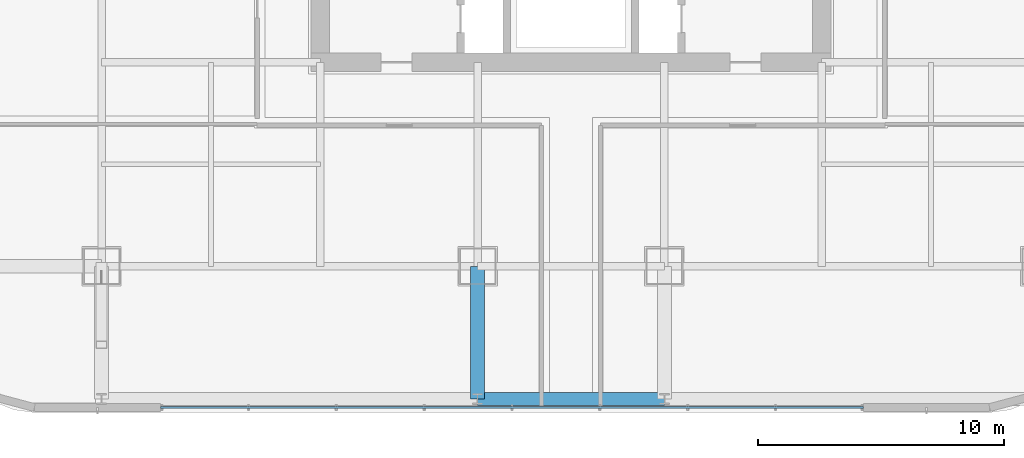
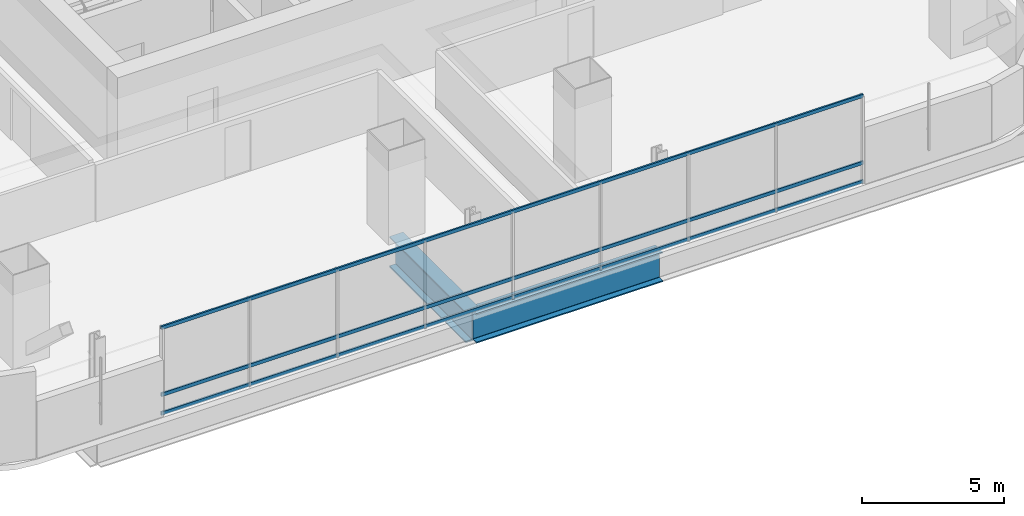
# One storey, part 6 of 45: 3 members, 2 beams, 1 element without a shape of its own.
"""IFC4 building model written with IfcOpenShell, lengths in metres."""

from ifc_helpers import new_model, si_unit, direction, frame, origin, origin_2d, place, context, subcontext, project, spatial, hollow_rectangle, i_section, extrude, material, material_profile, profile_set, type_object, element, aggregate, save


model = new_model("IFC4")

# Units and contexts
model_context = context("Model", 3, precision=1e-05, world=origin(), true_north=direction((0.0, 1.0)))
body_context = subcontext(model_context, "Body", "Model", "MODEL_VIEW")
ifc_project = project(units=[si_unit("LENGTHUNIT", "METRE"), si_unit("AREAUNIT", "SQUARE_METRE"), si_unit("VOLUMEUNIT", "CUBIC_METRE"), si_unit("PLANEANGLEUNIT", "RADIAN"), si_unit("MASSUNIT", "GRAM", prefix="KILO")], contexts=[model_context])

# Site, building, storey
site_placement = place(None, origin())
site = spatial("IfcSite", under=ifc_project, at=site_placement, CompositionType="ELEMENT")
building_placement = place(site_placement, origin())
building = spatial("IfcBuilding", under=site, at=building_placement, Name="Punatoya Terracotta Tower", CompositionType="ELEMENT")
storey_placement = place(building_placement, frame((0.0, 0.0, 56.550048828125)))
storey = spatial("IfcBuildingStorey", under=building, at=storey_placement, Name="L12", CompositionType="ELEMENT", Elevation=56.550048828125)

# Beams
ifc_material_1 = material(Name="Steel S460", Category="steel")
ifc_material_profile_1 = material_profile(ifc_material_1, i_section(OverallWidth=0.56005859375, OverallDepth=1.320068359375, WebThickness=0.035888671875, FlangeThickness=0.054931640625, FilletRadius=0.01806640625, at=origin_2d()))
ifc_profile_set_1 = profile_set([ifc_material_profile_1], Name="Steel S460")
beam_type_1 = type_object("IfcBeamType", Name="BM-TG-BLK", PredefinedType="BEAM", material=ifc_profile_set_1)
beam_1_placement = place(storey_placement, frame((-3.800048828125, -22.89990234375, -0.900146484375), z_axis=(0.0, 1.0, 0.0), x_axis=(-1.0, 0.0, 0.0)))
element("IfcBeam", 1, at=beam_1_placement, inside=storey, type_object=beam_type_1, Name="BM-L12-CANT-S2", PredefinedType="BEAM", context=body_context, shape_type="SweptSolid", body=[
    extrude(i_section(OverallWidth=0.56005859375, OverallDepth=1.320068359375, WebThickness=0.035888671875, FlangeThickness=0.054931640625, FilletRadius=0.01806640625, at=origin_2d()), origin(), (0.0, 0.0, 1.0), 5.39990234375),
])
ifc_material_profile_2 = material_profile(ifc_material_1, i_section(OverallWidth=0.52001953125, OverallDepth=1.280029296875, WebThickness=0.031982421875, FlangeThickness=0.050048828125, FilletRadius=0.01806640625, at=origin_2d()))
ifc_profile_set_2 = profile_set([ifc_material_profile_2], Name="Steel S460")
beam_type_2 = type_object("IfcBeamType", Name="BM-TG-NCK", PredefinedType="BEAM", material=ifc_profile_set_2)
beam_2_placement = place(storey_placement, frame((-3.800048828125, -22.89990234375, -0.880126953125), z_axis=(1.0, 0.0, 0.0), x_axis=(0.0, 1.0, 0.0)))
element("IfcBeam", 2, at=beam_2_placement, inside=storey, type_object=beam_type_2, Name="BM-L12-PER-S2", PredefinedType="BEAM", context=body_context, shape_type="SweptSolid", body=[
    extrude(i_section(OverallWidth=0.52001953125, OverallDepth=1.280029296875, WebThickness=0.031982421875, FlangeThickness=0.050048828125, FilletRadius=0.01806640625, at=origin_2d()), origin(), (0.0, 0.0, 1.0), 7.60009765625),
])

# Curtain wall, members
ifc_material_2 = material(Name="Aluminium 6063-T6 + Double Low-E Glass", Category="aluminium")
curtain_wall_type = type_object("IfcCurtainWallType", Name="CW-M1", PredefinedType="NOTDEFINED", material=ifc_material_2)
curtain_wall_placement = place(storey_placement, origin())
curtain_wall = element("IfcCurtainWall", 3, at=curtain_wall_placement, inside=storey, type_object=curtain_wall_type, Name="L12 Curtain Wall CW-L12-S01-1", PredefinedType="NOTDEFINED")
ifc_material_3 = material(Name="Aluminium 6063-T6", Category="aluminium")
ifc_material_profile_3 = material_profile(ifc_material_3, hollow_rectangle(XDim=0.068115234375, YDim=0.14990234375, WallThickness=0.00390625, at=origin_2d()))
ifc_profile_set_3 = profile_set([ifc_material_profile_3], Name="Aluminium 6063-T6")
member_type = type_object("IfcMemberType", Name="CW-TRN-TYP", PredefinedType="USERDEFINED", material=ifc_profile_set_3)
member_1_placement = place(storey_placement, frame((-16.699951171875, -23.25, 0.0400390625), z_axis=(1.0, 0.0, 0.0), x_axis=(0.0, 1.0, 0.0)))
member_1 = element("IfcMember", 4, at=member_1_placement, type_object=member_type, Name="CW-L12-S01-1 Transom 1", ObjectType="TRANSOM", PredefinedType="USERDEFINED", context=body_context, shape_type="SweptSolid", body=[
    extrude(hollow_rectangle(XDim=0.068115234375, YDim=0.14990234375, WallThickness=0.00390625, at=origin_2d()), origin(), (0.0, 0.0, 1.0), 28.599853515625),
])
member_2_placement = place(storey_placement, frame((-16.699951171875, -23.25, 0.849853515625), z_axis=(1.0, 0.0, 0.0), x_axis=(0.0, 1.0, 0.0)))
member_2 = element("IfcMember", 5, at=member_2_placement, type_object=member_type, Name="CW-L12-S01-1 Transom 2", ObjectType="TRANSOM", PredefinedType="USERDEFINED", context=body_context, shape_type="SweptSolid", body=[
    extrude(hollow_rectangle(XDim=0.068115234375, YDim=0.14990234375, WallThickness=0.00390625, at=origin_2d()), origin(), (0.0, 0.0, 1.0), 28.599853515625),
])
member_3_placement = place(storey_placement, frame((-16.699951171875, -23.25, 3.72998046875), z_axis=(1.0, 0.0, 0.0), x_axis=(0.0, 1.0, 0.0)))
member_3 = element("IfcMember", 6, at=member_3_placement, type_object=member_type, Name="CW-L12-S01-1 Transom 3", ObjectType="TRANSOM", PredefinedType="USERDEFINED", context=body_context, shape_type="SweptSolid", body=[
    extrude(hollow_rectangle(XDim=0.068115234375, YDim=0.14990234375, WallThickness=0.00390625, at=origin_2d()), origin(), (0.0, 0.0, 1.0), 28.599853515625),
])
aggregate(curtain_wall, [member_1, member_2, member_3])

save(model, "model.ifc")
